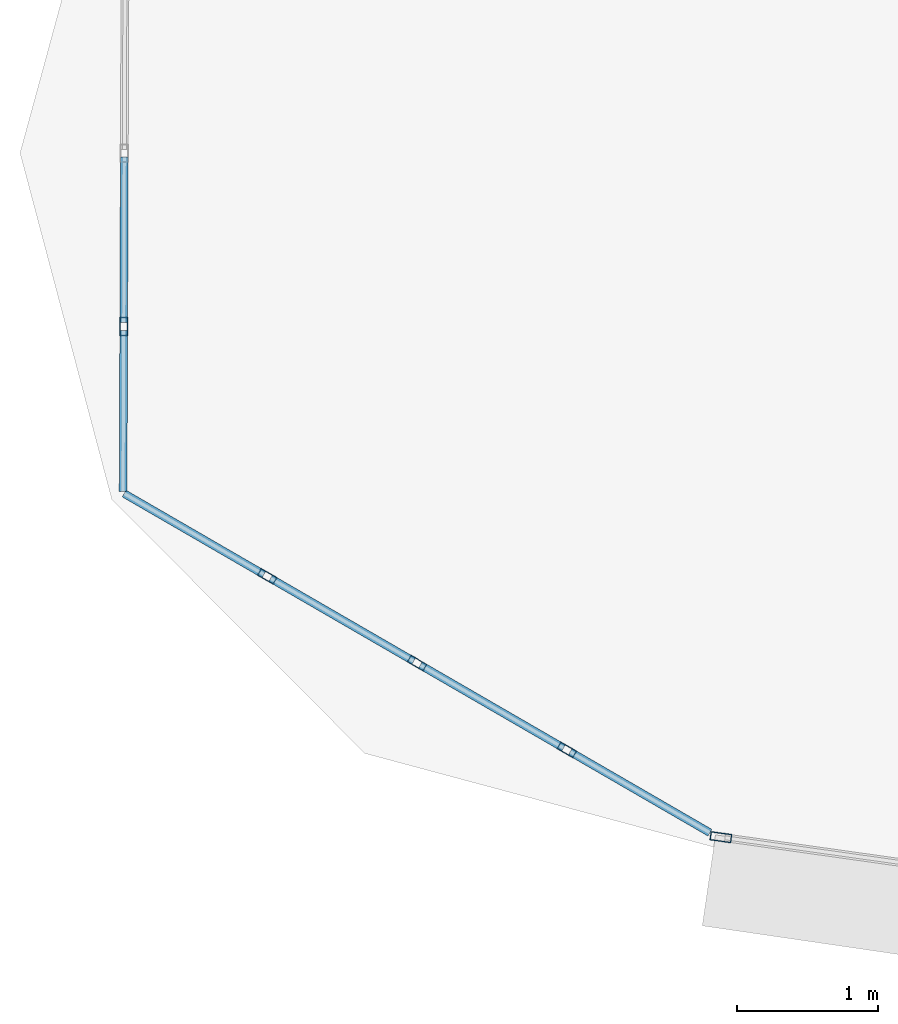
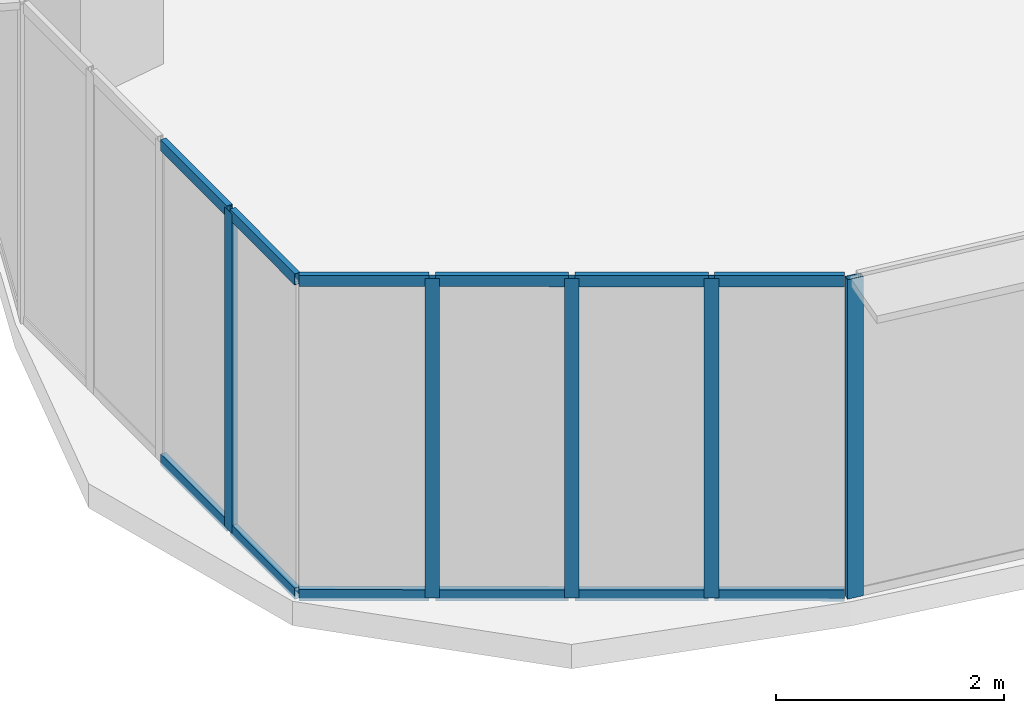
# One storey, part 2 of 41: 17 members, 3 elements without a shape of their own.
"""IFC4 building model written with IfcOpenShell, lengths in metres."""

from ifc_helpers import new_model, si_unit, direction, frame, origin, origin_2d, place, context, subcontext, project, spatial, hollow_rectangle, extrude, source, transform, mapped, material, layer, layer_set, material_profile, profile_set, type_object, element, aggregate, save


model = new_model("IFC4")

# Units and contexts
model_context = context("Model", 3, precision=1e-05, world=origin(), true_north=direction((0.0, 1.0)))
body_context = subcontext(model_context, "Body", "Model", "MODEL_VIEW")
ifc_project = project(units=[si_unit("LENGTHUNIT", "METRE"), si_unit("AREAUNIT", "SQUARE_METRE"), si_unit("VOLUMEUNIT", "CUBIC_METRE"), si_unit("PLANEANGLEUNIT", "RADIAN"), si_unit("MASSUNIT", "GRAM", prefix="KILO"), si_unit("THERMODYNAMICTEMPERATUREUNIT", "KELVIN"), si_unit("POWERUNIT", "WATT")], contexts=[model_context])

# Site, building, storey
site_placement = place(None, origin())
site = spatial("IfcSite", under=ifc_project, at=site_placement, CompositionType="ELEMENT")
building_placement = place(site_placement, origin())
building = spatial("IfcBuilding", under=site, at=building_placement, Name="Yunzhuo Pagoda Commons", CompositionType="ELEMENT")
storey_placement = place(building_placement, frame((0.0, 0.0, 155.590087890625)))
storey = spatial("IfcBuildingStorey", under=building, at=storey_placement, Name="L39", CompositionType="ELEMENT", Elevation=155.590087890625)

# Curtain wall, member
ifc_material = material(Name="Anodized aluminium 6063-T6", Category="aluminium")
ifc_layer_1 = layer(ifc_material, 0.14990234375)
ifc_layer_set_1 = layer_set([ifc_layer_1], Name="Anodized aluminium 6063-T6")
curtain_wall_type_1 = type_object("IfcCurtainWallType", Name="CW-MID Mid-Zone Ribbon Curtain Wall", PredefinedType="NOTDEFINED", material=ifc_layer_set_1)
curtain_wall_1_placement = place(storey_placement, origin())
curtain_wall_1 = element("IfcCurtainWall", 1, at=curtain_wall_1_placement, inside=storey, type_object=curtain_wall_type_1, Name="L39 curtain wall CW-L39-F1B1", PredefinedType="NOTDEFINED")
ifc_material_profile_1 = material_profile(ifc_material, hollow_rectangle(XDim=0.06005859375, YDim=0.14990234375, WallThickness=0.00390625, at=origin_2d()), Name="Anodized aluminium 6063-T6")
ifc_profile_set_1 = profile_set([ifc_material_profile_1], Name="Anodized aluminium 6063-T6")
member_type_1 = type_object("IfcMemberType", Name="CW-MID-M Mullion RHS 150x60x4", PredefinedType="MULLION", material=ifc_profile_set_1)
shared_shape_1 = source(origin(), body_context, "Body", "SweptSolid", [
    extrude(hollow_rectangle(XDim=0.06005859375, YDim=0.14990234375, WallThickness=0.00390625, at=origin_2d()), origin(), (0.0, 0.0, 1.0), 3.419921875),
])
member_1_placement = place(storey_placement, frame((12.73193359375, 16.718994140625, 0.0), z_axis=(0.0, 0.0, 1.0), x_axis=(0.13962976996, 0.990203780714, 0.0)))
member_1 = element("IfcMember", 2, at=member_1_placement, type_object=member_type_1, Name="CW mullion 1", PredefinedType="MULLION", context=body_context, shape_type="MappedRepresentation", body=[
    mapped(shared_shape_1, transform((0.0, 0.0, 0.0), scale=1.0)),
])
aggregate(curtain_wall_1, [member_1])

ifc_layer_2 = layer(ifc_material, 0.1298828125)
ifc_layer_set_2 = layer_set([ifc_layer_2], Name="Anodized aluminium 6063-T6")
curtain_wall_type_2 = type_object("IfcCurtainWallType", Name="CW-VTX Rounded Corner Curtain Wall", PredefinedType="NOTDEFINED", material=ifc_layer_set_2)
curtain_wall_2_placement = place(storey_placement, origin())
curtain_wall_2 = element("IfcCurtainWall", 3, at=curtain_wall_2_placement, inside=storey, type_object=curtain_wall_type_2, Name="L39 curtain wall CW-L39-VTX1S1", PredefinedType="NOTDEFINED")
ifc_material_profile_2 = material_profile(ifc_material, hollow_rectangle(XDim=0.054931640625, YDim=0.1298828125, WallThickness=0.00341796875, at=origin_2d()), Name="Anodized aluminium 6063-T6")
ifc_profile_set_2 = profile_set([ifc_material_profile_2], Name="Anodized aluminium 6063-T6")
member_type_2 = type_object("IfcMemberType", Name="CW-VTX-M Mullion RHS 130x55x3.5", PredefinedType="MULLION", material=ifc_profile_set_2)
shared_shape_2 = source(origin(), body_context, "Body", "SweptSolid", [
    extrude(hollow_rectangle(XDim=0.054931640625, YDim=0.1298828125, WallThickness=0.00341796875, at=origin_2d()), origin(), (0.0, 0.0, 1.0), 3.419921875),
])
member_2_placement = place(storey_placement, frame((8.508056640625, 20.331787109375, 0.0), z_axis=(0.0, 0.0, 1.0), x_axis=(0.999993542566, -0.00359372042, 0.0)))
member_2 = element("IfcMember", 4, at=member_2_placement, type_object=member_type_2, Name="CW mullion 4", PredefinedType="MULLION", context=body_context, shape_type="MappedRepresentation", body=[
    mapped(shared_shape_2, transform((0.0, 0.0, 0.0), scale=1.0)),
])

# Curtain wall, members
curtain_wall_3_placement = place(storey_placement, origin())
curtain_wall_3 = element("IfcCurtainWall", 5, at=curtain_wall_3_placement, inside=storey, type_object=curtain_wall_type_2, Name="L39 curtain wall CW-L39-VTX1S2", PredefinedType="NOTDEFINED")
member_3_placement = place(storey_placement, frame((9.523193359375, 18.5634765625, 0.0), z_axis=(0.0, 0.0, 1.0), x_axis=(0.501034660762, 0.865427217457, 0.0)))
member_3 = element("IfcMember", 6, at=member_3_placement, type_object=member_type_2, Name="CW mullion 2", PredefinedType="MULLION", context=body_context, shape_type="MappedRepresentation", body=[
    mapped(shared_shape_2, transform((0.0, 0.0, 0.0), scale=1.0)),
])
member_4_placement = place(storey_placement, frame((10.582763671875, 17.949951171875, 0.0), z_axis=(0.0, 0.0, 1.0), x_axis=(0.501034660762, 0.865427217457, 0.0)))
member_4 = element("IfcMember", 7, at=member_4_placement, type_object=member_type_2, Name="CW mullion 3", PredefinedType="MULLION", context=body_context, shape_type="MappedRepresentation", body=[
    mapped(shared_shape_2, transform((0.0, 0.0, 0.0), scale=1.0)),
])
member_5_placement = place(storey_placement, frame((11.642333984375, 17.336669921875, 0.0), z_axis=(0.0, 0.0, 1.0), x_axis=(0.501034660762, 0.865427217457, 0.0)))
member_5 = element("IfcMember", 8, at=member_5_placement, type_object=member_type_2, Name="CW mullion 4", PredefinedType="MULLION", context=body_context, shape_type="MappedRepresentation", body=[
    mapped(shared_shape_2, transform((0.0, 0.0, 0.0), scale=1.0)),
])
ifc_material_profile_3 = material_profile(ifc_material, hollow_rectangle(XDim=0.054931640625, YDim=0.1201171875, WallThickness=0.00341796875, at=origin_2d()), Name="Anodized aluminium 6063-T6")
ifc_profile_set_3 = profile_set([ifc_material_profile_3], Name="Anodized aluminium 6063-T6")
member_type_3 = type_object("IfcMemberType", Name="CW-VTX-T Transom RHS 120x55x3.5", PredefinedType="USERDEFINED", material=ifc_profile_set_3)
shared_shape_3 = source(origin(), body_context, "Body", "SweptSolid", [
    extrude(hollow_rectangle(XDim=0.054931640625, YDim=0.1201171875, WallThickness=0.00341796875, at=origin_2d()), origin(), (0.0, 0.0, 1.0), 1.141845703125),
])
member_6_placement = place(storey_placement, frame((11.666015625, 17.32275390625, 0.02734375), z_axis=(0.865479953388, -0.500943559977, 0.0), x_axis=(0.500943559977, 0.865479953388, 0.0)))
member_6 = element("IfcMember", 9, at=member_6_placement, type_object=member_type_3, Name="CW transom 4.1", ObjectType="TRANSOM", PredefinedType="USERDEFINED", context=body_context, shape_type="MappedRepresentation", body=[
    mapped(shared_shape_3, transform((0.0, 0.0, 0.0), scale=1.0)),
])
member_7_placement = place(storey_placement, frame((11.666015625, 17.32275390625, 3.392333984375), z_axis=(0.865479953388, -0.500943559977, 0.0), x_axis=(0.500943559977, 0.865479953388, 0.0)))
member_7 = element("IfcMember", 10, at=member_7_placement, type_object=member_type_3, Name="CW transom 4.2", ObjectType="TRANSOM", PredefinedType="USERDEFINED", context=body_context, shape_type="MappedRepresentation", body=[
    mapped(shared_shape_3, transform((0.0, 0.0, 0.0), scale=1.0)),
])
shared_shape_4 = source(origin(), body_context, "Body", "SweptSolid", [
    extrude(hollow_rectangle(XDim=0.054931640625, YDim=0.1201171875, WallThickness=0.00341796875, at=origin_2d()), origin(), (0.0, 0.0, 1.0), 1.16943359375),
])
member_8_placement = place(storey_placement, frame((9.546875, 18.5498046875, 0.02734375), z_axis=(0.865402460801, -0.501077420005, 0.0), x_axis=(0.501077420005, 0.865402460801, 0.0)))
member_8 = element("IfcMember", 11, at=member_8_placement, type_object=member_type_3, Name="CW transom 2.1", ObjectType="TRANSOM", PredefinedType="USERDEFINED", context=body_context, shape_type="MappedRepresentation", body=[
    mapped(shared_shape_4, transform((0.0, 0.0, 0.0), scale=1.0)),
])
member_9_placement = place(storey_placement, frame((9.546875, 18.5498046875, 3.392333984375), z_axis=(0.865402460801, -0.501077420005, 0.0), x_axis=(0.501077420005, 0.865402460801, 0.0)))
member_9 = element("IfcMember", 12, at=member_9_placement, type_object=member_type_3, Name="CW transom 2.2", ObjectType="TRANSOM", PredefinedType="USERDEFINED", context=body_context, shape_type="MappedRepresentation", body=[
    mapped(shared_shape_4, transform((0.0, 0.0, 0.0), scale=1.0)),
])
member_10_placement = place(storey_placement, frame((10.6064453125, 17.936279296875, 0.02734375), z_axis=(0.865402460801, -0.501077420005, 0.0), x_axis=(0.501077420005, 0.865402460801, 0.0)))
member_10 = element("IfcMember", 13, at=member_10_placement, type_object=member_type_3, Name="CW transom 3.1", ObjectType="TRANSOM", PredefinedType="USERDEFINED", context=body_context, shape_type="MappedRepresentation", body=[
    mapped(shared_shape_4, transform((0.0, 0.0, 0.0), scale=1.0)),
])
member_11_placement = place(storey_placement, frame((10.6064453125, 17.936279296875, 3.392333984375), z_axis=(0.865402460801, -0.501077420005, 0.0), x_axis=(0.501077420005, 0.865402460801, 0.0)))
member_11 = element("IfcMember", 14, at=member_11_placement, type_object=member_type_3, Name="CW transom 3.2", ObjectType="TRANSOM", PredefinedType="USERDEFINED", context=body_context, shape_type="MappedRepresentation", body=[
    mapped(shared_shape_4, transform((0.0, 0.0, 0.0), scale=1.0)),
])

# Member
shared_shape_5 = source(origin(), body_context, "Body", "SweptSolid", [
    extrude(hollow_rectangle(XDim=0.054931640625, YDim=0.1201171875, WallThickness=0.00341796875, at=origin_2d()), origin(), (0.0, 0.0, 1.0), 1.169677734375),
])
member_12_placement = place(storey_placement, frame((8.51220703125, 21.52880859375, 0.02734375), z_axis=(-0.003548297429, -0.999993704773, 0.0), x_axis=(0.999993704773, -0.003548297429, 0.0)))
member_12 = element("IfcMember", 15, at=member_12_placement, type_object=member_type_3, Name="CW transom 3.1", ObjectType="TRANSOM", PredefinedType="USERDEFINED", context=body_context, shape_type="MappedRepresentation", body=[
    mapped(shared_shape_5, transform((0.0, 0.0, 0.0), scale=1.0)),
])

member_13_placement = place(storey_placement, frame((8.51220703125, 21.52880859375, 3.392333984375), z_axis=(-0.003548297429, -0.999993704773, 0.0), x_axis=(0.999993704773, -0.003548297429, 0.0)))
member_13 = element("IfcMember", 16, at=member_13_placement, type_object=member_type_3, Name="CW transom 3.2", ObjectType="TRANSOM", PredefinedType="USERDEFINED", context=body_context, shape_type="MappedRepresentation", body=[
    mapped(shared_shape_5, transform((0.0, 0.0, 0.0), scale=1.0)),
])

shared_shape_6 = source(origin(), body_context, "Body", "SweptSolid", [
    extrude(hollow_rectangle(XDim=0.054931640625, YDim=0.1201171875, WallThickness=0.00341796875, at=origin_2d()), origin(), (0.0, 0.0, 1.0), 1.1416015625),
])
member_14_placement = place(storey_placement, frame((8.508056640625, 20.30419921875, 0.02734375), z_axis=(-0.003849415449, -0.999992590973, 0.0), x_axis=(0.999992590973, -0.003849415449, 0.0)))
member_14 = element("IfcMember", 17, at=member_14_placement, type_object=member_type_3, Name="CW transom 4.1", ObjectType="TRANSOM", PredefinedType="USERDEFINED", context=body_context, shape_type="MappedRepresentation", body=[
    mapped(shared_shape_6, transform((0.0, 0.0, 0.0), scale=1.0)),
])

member_15_placement = place(storey_placement, frame((8.508056640625, 20.30419921875, 3.392333984375), z_axis=(-0.003849415449, -0.999992590973, 0.0), x_axis=(0.999992590973, -0.003849415449, 0.0)))
member_15 = element("IfcMember", 18, at=member_15_placement, type_object=member_type_3, Name="CW transom 4.2", ObjectType="TRANSOM", PredefinedType="USERDEFINED", context=body_context, shape_type="MappedRepresentation", body=[
    mapped(shared_shape_6, transform((0.0, 0.0, 0.0), scale=1.0)),
])

aggregate(curtain_wall_2, [member_2, member_12, member_13, member_14, member_15])

shared_shape_7 = source(origin(), body_context, "Body", "SweptSolid", [
    extrude(hollow_rectangle(XDim=0.054931640625, YDim=0.1201171875, WallThickness=0.00341796875, at=origin_2d()), origin(), (0.0, 0.0, 1.0), 1.14208984375),
])
member_16_placement = place(storey_placement, frame((8.510986328125, 19.1494140625, 0.02734375), z_axis=(0.86538725222, -0.501103685574, 0.0), x_axis=(0.501103685574, 0.86538725222, 0.0)))
member_16 = element("IfcMember", 19, at=member_16_placement, type_object=member_type_3, Name="CW transom 1.1", ObjectType="TRANSOM", PredefinedType="USERDEFINED", context=body_context, shape_type="MappedRepresentation", body=[
    mapped(shared_shape_7, transform((0.0, 0.0, 0.0), scale=1.0)),
])

member_17_placement = place(storey_placement, frame((8.510986328125, 19.1494140625, 3.392333984375), z_axis=(0.86538725222, -0.501103685574, 0.0), x_axis=(0.501103685574, 0.86538725222, 0.0)))
member_17 = element("IfcMember", 20, at=member_17_placement, type_object=member_type_3, Name="CW transom 1.2", ObjectType="TRANSOM", PredefinedType="USERDEFINED", context=body_context, shape_type="MappedRepresentation", body=[
    mapped(shared_shape_7, transform((0.0, 0.0, 0.0), scale=1.0)),
])

aggregate(curtain_wall_3, [member_3, member_4, member_5, member_16, member_17, member_8, member_9, member_10, member_11, member_6, member_7])

save(model, "model.ifc")
